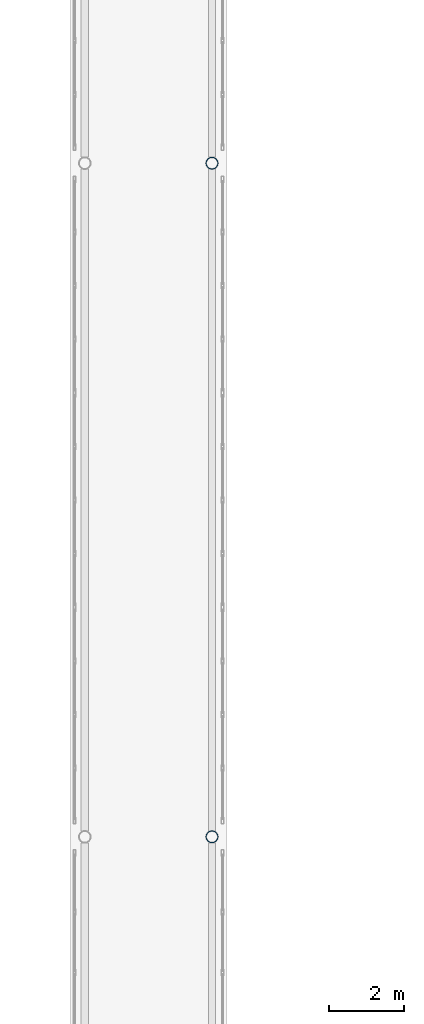
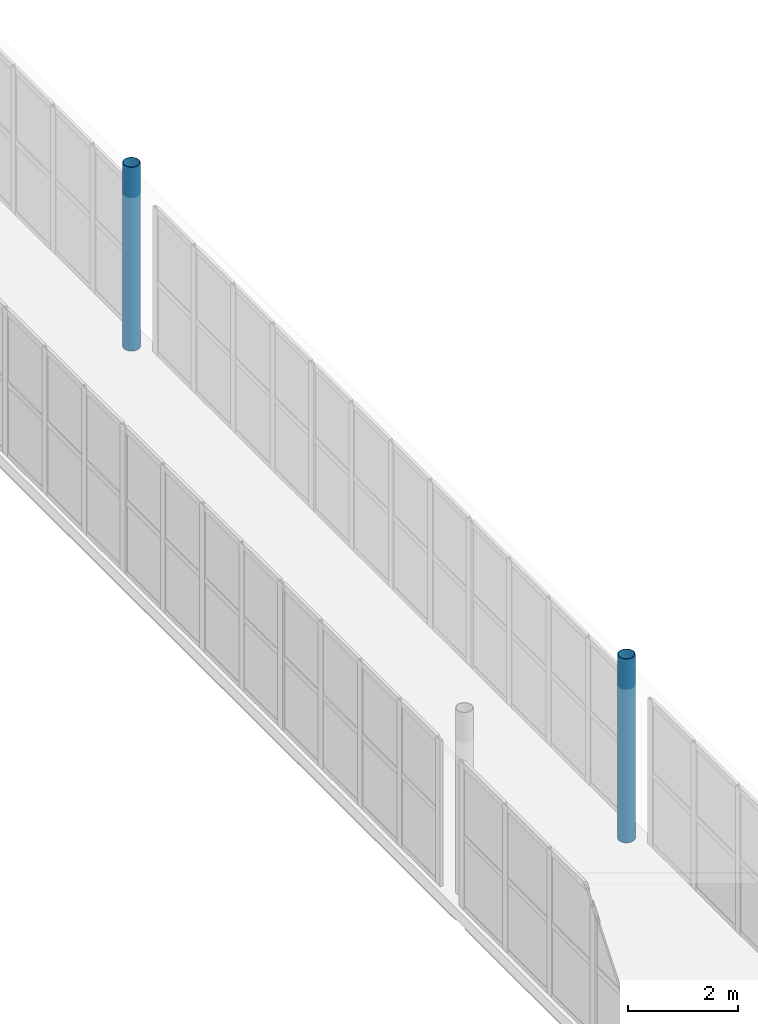
# One storey, part 8 of 146: 2 columns.
"""IFC4 building model written with IfcOpenShell, lengths in metres."""

from ifc_helpers import new_model, si_unit, direction, frame, origin, origin_2d, place, context, subcontext, project, spatial, hollow_circle, extrude, material, material_profile, profile_set, type_object, element, save


model = new_model("IFC4")

# Units and contexts
model_context = context("Model", 3, precision=1e-05, world=origin(), true_north=direction((0.0, 1.0)))
body_context = subcontext(model_context, "Body", "Model", "MODEL_VIEW")
ifc_project = project(units=[si_unit("LENGTHUNIT", "METRE"), si_unit("AREAUNIT", "SQUARE_METRE"), si_unit("VOLUMEUNIT", "CUBIC_METRE"), si_unit("PLANEANGLEUNIT", "RADIAN"), si_unit("MASSUNIT", "GRAM", prefix="KILO")], contexts=[model_context])

# Site, building, storey
site_placement = place(None, origin())
site = spatial("IfcSite", under=ifc_project, at=site_placement, CompositionType="ELEMENT")
building_placement = place(site_placement, origin())
building = spatial("IfcBuilding", under=site, at=building_placement, Name="Valcora Specialist Clinic", CompositionType="ELEMENT")
storey_placement = place(building_placement, frame((0.0, 0.0, 9.52001953125)))
storey = spatial("IfcBuildingStorey", under=building, at=storey_placement, Name="L02", CompositionType="ELEMENT", Elevation=9.52001953125)

# Columns
ifc_material = material(Name="Steel ASTM A500 Grade C", Category="steel")
ifc_material_profile = material_profile(ifc_material, hollow_circle(Radius=0.162109375, WallThickness=0.011962890625, at=origin_2d()), Name="ST-CHS-324X12")
ifc_profile_set = profile_set([ifc_material_profile], Name="Steel ASTM A500 Grade C")
column_type = type_object("IfcColumnType", Name="TY-COL-CHS324", PredefinedType="COLUMN", material=ifc_profile_set)
for number, where, z_axis, x_axis, name in (
    (1, (65.0, 38.0, 0.0), (0.0, 0.0, 1.0), (1.0, 0.0, 0.0), "Column COL-L02-0992"),
    (2, (65.0, 56.0, 0.0), (0.0, 0.0, 1.0), (1.0, 0.0, 0.0), "Column COL-L02-0998"),
):
    element("IfcColumn", number, at=place(storey_placement, frame(where, z_axis=z_axis, x_axis=x_axis)), inside=storey, type_object=column_type, Name=name, PredefinedType="COLUMN", context=body_context, shape_type="SweptSolid", body=[
        extrude(hollow_circle(Radius=0.162109375, WallThickness=0.011962890625, at=origin_2d()), origin(), (0.0, 0.0, 1.0), 4.080078125),
    ])

save(model, "model.ifc")
